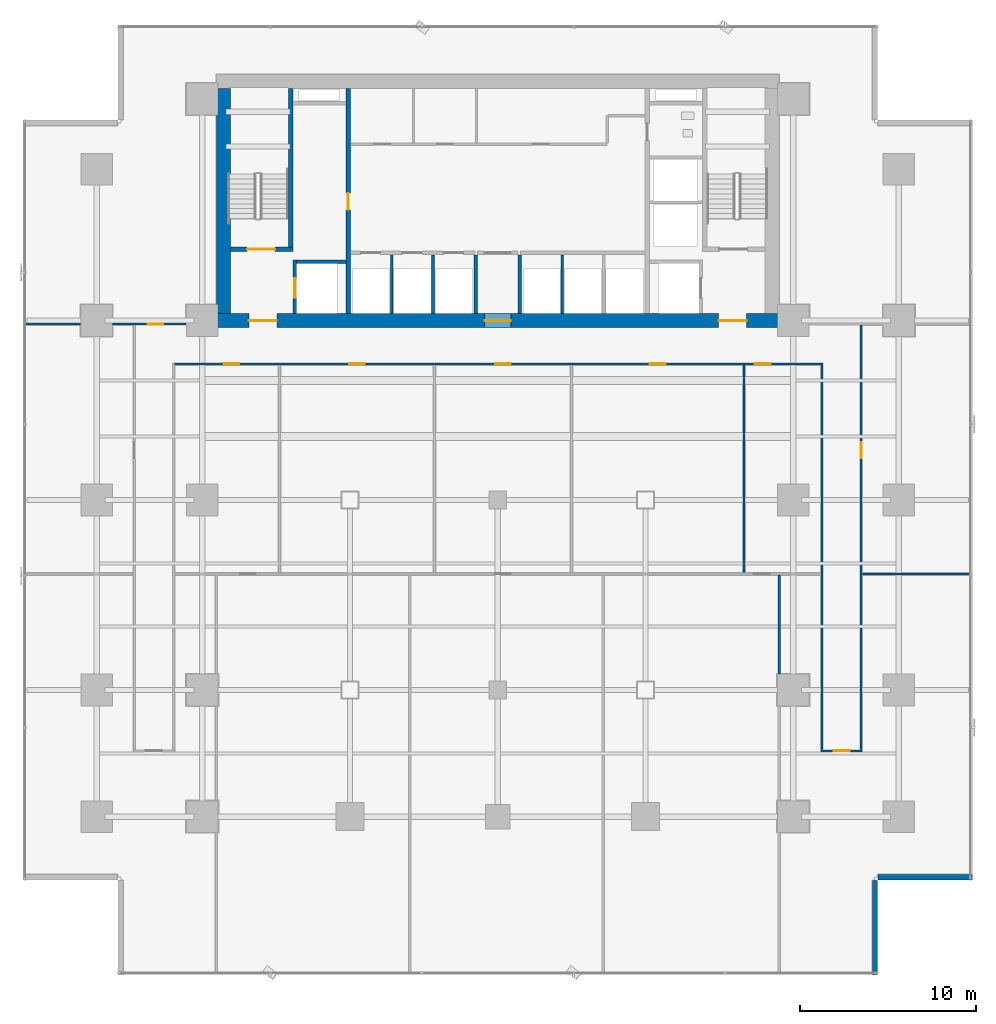
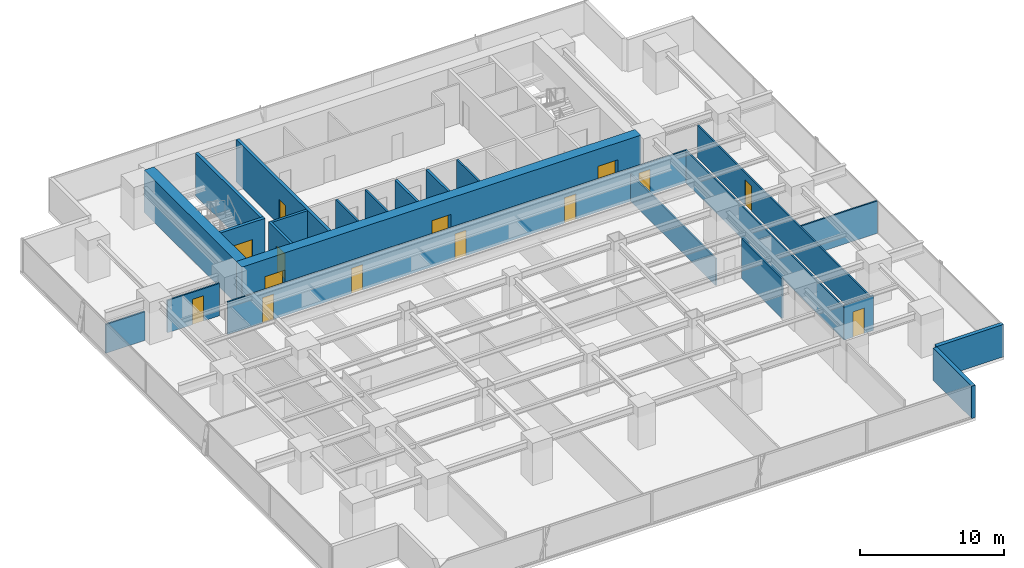
# One storey, part 25 of 33: 23 walls, 14 doors, 14 openings.
"""IFC4 building model written with IfcOpenShell, lengths in metres."""

from ifc_helpers import new_model, si_unit, direction, frame, frame_2d, origin, place, context, subcontext, project, spatial, rectangle, extrude, source, transform, mapped, material, layer, layer_set, type_object, element, fill, save


model = new_model("IFC4")

# Units and contexts
model_context = context("Model", 3, precision=1e-05, world=origin(), true_north=direction((0.0, 1.0)))
body_context = subcontext(model_context, "Body", "Model", "MODEL_VIEW")
ifc_project = project(units=[si_unit("LENGTHUNIT", "METRE"), si_unit("AREAUNIT", "SQUARE_METRE"), si_unit("VOLUMEUNIT", "CUBIC_METRE"), si_unit("PLANEANGLEUNIT", "RADIAN"), si_unit("MASSUNIT", "GRAM", prefix="KILO")], contexts=[model_context])

# Site, building, storey
site_placement = place(None, origin())
site = spatial("IfcSite", under=ifc_project, at=site_placement, CompositionType="ELEMENT")
building_placement = place(site_placement, origin())
building = spatial("IfcBuilding", under=site, at=building_placement, Name="Sumidabori Civic Tower", CompositionType="ELEMENT")
storey_placement = place(building_placement, frame((0.0, 0.0, 30.800048828125)))
storey = spatial("IfcBuildingStorey", under=building, at=storey_placement, Name="L07", CompositionType="ELEMENT", Elevation=30.800048828125)

# Wall, openings, doors
ifc_material_1 = material(Name="Concrete C60/75", Category="concrete")
ifc_layer_1 = layer(ifc_material_1, 0.800048828125, Name="Concrete C60/75")
ifc_layer_set_1 = layer_set([ifc_layer_1], Name="Concrete C60/75")
wall_type_1 = type_object("IfcWallType", Name="WL-CORE-800", PredefinedType="SHEAR", material=ifc_layer_set_1)
shared_shape_1 = source(origin(), body_context, "Body", "SweptSolid", [
    extrude(rectangle(XDim=32.0, YDim=0.800048828125, at=frame_2d((16.0, 0.0))), origin(), (0.0, 0.0, 1.0), 3.599853515625),
])
wall_1_placement = place(storey_placement, frame((-16.0, 10.199951171875, 0.0), z_axis=(0.0, 0.0, 1.0), x_axis=(1.0, 0.0, 0.0)))
wall_1 = element("IfcWall", 1, at=wall_1_placement, inside=storey, type_object=wall_type_1, Name="Core Shear Wall L07 S", PredefinedType="SHEAR", context=body_context, shape_type="MappedRepresentation", body=[
    mapped(shared_shape_1, transform((0.0, 0.0, 0.0), x_axis=(1.0, 0.0, 0.0), y_axis=(0.0, 1.0, 0.0), z_axis=(0.0, 0.0, 1.0), scale=1.0)),
])
opening_1_placement = place(wall_1_placement, frame((1.85009765625, 0.0, 0.0)))
opening_1 = element("IfcOpeningElement", 2, at=opening_1_placement, cuts=wall_1, Name="Opening DR-FD4", PredefinedType="OPENING", context=body_context, shape_type="SweptSolid", body=[
    extrude(rectangle(XDim=1.60009765625, YDim=2.14990234375, at=frame_2d((0.800048828125, 1.074951171875))), frame((0.0, 0.412109375, 0.0), z_axis=(0.0, -1.0, 0.0), x_axis=(1.0, 0.0, 0.0)), (0.0, 0.0, 1.0), 0.823974609375),
])
opening_2_placement = place(wall_1_placement, frame((28.550048828125, 0.0, 0.0)))
opening_2 = element("IfcOpeningElement", 3, at=opening_2_placement, cuts=wall_1, Name="Opening DR-FD4", PredefinedType="OPENING", context=body_context, shape_type="SweptSolid", body=[
    extrude(rectangle(XDim=1.60009765625, YDim=2.14990234375, at=frame_2d((0.800048828125, 1.074951171875))), frame((0.0, 0.412109375, 0.0), z_axis=(0.0, -1.0, 0.0), x_axis=(1.0, 0.0, 0.0)), (0.0, 0.0, 1.0), 0.823974609375),
])
opening_3_placement = place(wall_1_placement, frame((15.25, 0.0, 0.0)))
opening_3 = element("IfcOpeningElement", 4, at=opening_3_placement, cuts=wall_1, Name="Opening DR-FD3", PredefinedType="OPENING", context=body_context, shape_type="SweptSolid", body=[
    extrude(rectangle(XDim=1.5, YDim=2.199951171875, at=frame_2d((0.75, 1.10009765625))), frame((0.0, 0.412109375, 0.0), z_axis=(0.0, -1.0, 0.0), x_axis=(1.0, 0.0, 0.0)), (0.0, 0.0, 1.0), 0.823974609375),
])
ifc_material_2 = material(Name="Steel SN490", Category="steel")
door_type_1 = type_object("IfcDoorType", Name="DR-FD4", OperationType="DOUBLE_DOOR_SINGLE_SWING", PredefinedType="DOOR", material=ifc_material_2)
shared_shape_2 = source(origin(), body_context, "Body", "SweptSolid", [
    extrude(rectangle(XDim=1.60009765625, YDim=2.14990234375, at=frame_2d((0.800048828125, 1.074951171875))), frame((0.0, 0.02490234375, 0.0), z_axis=(0.0, -1.0, 0.0), x_axis=(1.0, 0.0, 0.0)), (0.0, 0.0, 1.0), 0.050048828125),
])
door_1_placement = place(opening_1_placement, origin())
door_1 = element("IfcDoor", 5, at=door_1_placement, inside=storey, type_object=door_type_1, Name="Door DR:L07:ELOB-W", OperationType="DOUBLE_DOOR_SINGLE_SWING", OverallHeight=2.14990234375, OverallWidth=1.60009765625, PredefinedType="DOOR", context=body_context, shape_type="MappedRepresentation", body=[
    mapped(shared_shape_2, transform((0.0, 0.0, 0.0), x_axis=(1.0, 0.0, 0.0), y_axis=(0.0, 1.0, 0.0), z_axis=(0.0, 0.0, 1.0), scale=1.0)),
])
fill(opening_1, door_1)
door_2_placement = place(opening_2_placement, origin())
door_2 = element("IfcDoor", 6, at=door_2_placement, inside=storey, type_object=door_type_1, Name="Door DR:L07:ELOB-E", OperationType="DOUBLE_DOOR_SINGLE_SWING", OverallHeight=2.14990234375, OverallWidth=1.60009765625, PredefinedType="DOOR", context=body_context, shape_type="MappedRepresentation", body=[
    mapped(shared_shape_2, transform((0.0, 0.0, 0.0), x_axis=(1.0, 0.0, 0.0), y_axis=(0.0, 1.0, 0.0), z_axis=(0.0, 0.0, 1.0), scale=1.0)),
])
fill(opening_2, door_2)
door_type_2 = type_object("IfcDoorType", Name="DR-FD-DBL", OperationType="DOUBLE_DOOR_SINGLE_SWING", PredefinedType="DOOR", material=ifc_material_2)
shared_shape_3 = source(origin(), body_context, "Body", "SweptSolid", [
    extrude(rectangle(XDim=1.5, YDim=2.199951171875, at=frame_2d((0.75, 1.10009765625))), frame((0.0, 0.02490234375, 0.0), z_axis=(0.0, -1.0, 0.0), x_axis=(1.0, 0.0, 0.0)), (0.0, 0.0, 1.0), 0.050048828125),
])
door_3_placement = place(opening_3_placement, origin())
door_3 = element("IfcDoor", 7, at=door_3_placement, inside=storey, type_object=door_type_2, Name="Door DR:L07:THROAT-OUT", OperationType="DOUBLE_DOOR_SINGLE_SWING", OverallHeight=2.199951171875, OverallWidth=1.5, PredefinedType="DOOR", context=body_context, shape_type="MappedRepresentation", body=[
    mapped(shared_shape_3, transform((0.0, 0.0, 0.0), x_axis=(1.0, 0.0, 0.0), y_axis=(0.0, 1.0, 0.0), z_axis=(0.0, 0.0, 1.0), scale=1.0)),
])
fill(opening_3, door_3)

# Wall
shared_shape_4 = source(origin(), body_context, "Body", "SweptSolid", [
    extrude(rectangle(XDim=12.7998046875, YDim=0.800048828125, at=frame_2d((6.39990234375, 0.0))), origin(), (0.0, 0.0, 1.0), 3.599853515625),
])
wall_2_placement = place(storey_placement, frame((-15.60009765625, 10.60009765625, 0.0), z_axis=(0.0, 0.0, 1.0), x_axis=(0.0, 1.0, 0.0)))
element("IfcWall", 8, at=wall_2_placement, inside=storey, type_object=wall_type_1, Name="Core Shear Wall L07 W", PredefinedType="SHEAR", context=body_context, shape_type="MappedRepresentation", body=[
    mapped(shared_shape_4, transform((0.0, 0.0, 0.0), x_axis=(1.0, 0.0, 0.0), y_axis=(0.0, 1.0, 0.0), z_axis=(0.0, 0.0, 1.0), scale=1.0)),
])

# Wall, opening, door
ifc_material_3 = material(Name="Concrete C50/60", Category="concrete")
ifc_layer_2 = layer(ifc_material_3, 0.25, Name="Concrete C50/60")
ifc_layer_set_2 = layer_set([ifc_layer_2], Name="Concrete C50/60")
wall_type_2 = type_object("IfcWallType", Name="WL-SHAFT-250", PredefinedType="SHEAR", material=ifc_layer_set_2)
shared_shape_5 = source(origin(), body_context, "Body", "SweptSolid", [
    extrude(rectangle(XDim=12.7998046875, YDim=0.25, at=frame_2d((6.39990234375, 0.0))), origin(), (0.0, 0.0, 1.0), 3.599853515625),
])
wall_3_placement = place(storey_placement, frame((-8.5, 10.60009765625, 0.0), z_axis=(0.0, 0.0, 1.0), x_axis=(0.0, 1.0, 0.0)))
wall_3 = element("IfcWall", 9, at=wall_3_placement, inside=storey, type_object=wall_type_2, Name="Core Shear Wall L07 WEB-W", PredefinedType="SHEAR", context=body_context, shape_type="MappedRepresentation", body=[
    mapped(shared_shape_5, transform((0.0, 0.0, 0.0), x_axis=(1.0, 0.0, 0.0), y_axis=(0.0, 1.0, 0.0), z_axis=(0.0, 0.0, 1.0), scale=1.0)),
])
opening_4_placement = place(wall_3_placement, frame((5.89990234375, 0.0, 0.0)))
opening_4 = element("IfcOpeningElement", 10, at=opening_4_placement, cuts=wall_3, Name="Opening DR-FD2", PredefinedType="OPENING", context=body_context, shape_type="SweptSolid", body=[
    extrude(rectangle(XDim=0.949951171875, YDim=2.14990234375, at=frame_2d((0.47509765625, 1.074951171875))), frame((0.0, 0.136962890625, 0.0), z_axis=(0.0, -1.0, 0.0), x_axis=(1.0, 0.0, 0.0)), (0.0, 0.0, 1.0), 0.27392578125),
])
door_type_3 = type_object("IfcDoorType", Name="DR-FD2", OperationType="NOTDEFINED", PredefinedType="DOOR", material=ifc_material_2)
shared_shape_6 = source(origin(), body_context, "Body", "SweptSolid", [
    extrude(rectangle(XDim=0.949951171875, YDim=2.14990234375, at=frame_2d((0.47509765625, 1.074951171875))), frame((0.0, 0.02490234375, 0.0), z_axis=(0.0, -1.0, 0.0), x_axis=(1.0, 0.0, 0.0)), (0.0, 0.0, 1.0), 0.050048828125),
])
door_4_placement = place(opening_4_placement, origin())
door_4 = element("IfcDoor", 11, at=door_4_placement, inside=storey, type_object=door_type_3, Name="Door DR:L07:CW-STR", OperationType="SINGLE_SWING_LEFT", OverallHeight=2.14990234375, OverallWidth=0.949951171875, PredefinedType="DOOR", context=body_context, shape_type="MappedRepresentation", body=[
    mapped(shared_shape_6, transform((0.0, 0.0, 0.0), x_axis=(1.0, 0.0, 0.0), y_axis=(0.0, 1.0, 0.0), z_axis=(0.0, 0.0, 1.0), scale=1.0)),
])
fill(opening_4, door_4)

shared_shape_7 = source(origin(), body_context, "Body", "SweptSolid", [
    extrude(rectangle(XDim=3.554931640625, YDim=0.25, at=frame_2d((1.77734375, 0.0))), origin(), (0.0, 0.0, 1.0), 3.599853515625),
])
wall_4_placement = place(storey_placement, frame((-15.199951171875, 14.25, 0.0), z_axis=(0.0, 0.0, 1.0), x_axis=(1.0, 0.0, 0.0)))
wall_4 = element("IfcWall", 12, at=wall_4_placement, inside=storey, type_object=wall_type_2, Name="Core Shear Wall L07 ST1-S", PredefinedType="SHEAR", context=body_context, shape_type="MappedRepresentation", body=[
    mapped(shared_shape_7, transform((0.0, 0.0, 0.0), x_axis=(1.0, 0.0, 0.0), y_axis=(0.0, 1.0, 0.0), z_axis=(0.0, 0.0, 1.0), scale=1.0)),
])
opening_5_placement = place(wall_4_placement, frame((0.949951171875, 0.0, 0.0)))
opening_5 = element("IfcOpeningElement", 13, at=opening_5_placement, cuts=wall_4, Name="Opening DR-FD4", PredefinedType="OPENING", context=body_context, shape_type="SweptSolid", body=[
    extrude(rectangle(XDim=1.60009765625, YDim=2.14990234375, at=frame_2d((0.800048828125, 1.074951171875))), frame((0.0, 0.136962890625, 0.0), z_axis=(0.0, -1.0, 0.0), x_axis=(1.0, 0.0, 0.0)), (0.0, 0.0, 1.0), 0.27392578125),
])
door_5_placement = place(opening_5_placement, origin())
door_5 = element("IfcDoor", 14, at=door_5_placement, inside=storey, type_object=door_type_1, Name="Door DR:L07:ST1", OperationType="DOUBLE_DOOR_SINGLE_SWING", OverallHeight=2.14990234375, OverallWidth=1.60009765625, PredefinedType="DOOR", context=body_context, shape_type="MappedRepresentation", body=[
    mapped(shared_shape_2, transform((0.0, 0.0, 0.0), x_axis=(1.0, 0.0, 0.0), y_axis=(0.0, 1.0, 0.0), z_axis=(0.0, 0.0, 1.0), scale=1.0)),
])
fill(opening_5, door_5)

# Wall
shared_shape_8 = source(origin(), body_context, "Body", "SweptSolid", [
    extrude(rectangle(XDim=9.02490234375, YDim=0.25, at=frame_2d((4.512451171875, 0.0))), origin(), (0.0, 0.0, 1.0), 3.599853515625),
])
wall_5_placement = place(storey_placement, frame((-11.77001953125, 14.375, 0.0), z_axis=(0.0, 0.0, 1.0), x_axis=(0.0, 1.0, 0.0)))
element("IfcWall", 15, at=wall_5_placement, inside=storey, type_object=wall_type_2, Name="Core Shear Wall L07 ST1-E", PredefinedType="SHEAR", context=body_context, shape_type="MappedRepresentation", body=[
    mapped(shared_shape_8, transform((0.0, 0.0, 0.0), x_axis=(1.0, 0.0, 0.0), y_axis=(0.0, 1.0, 0.0), z_axis=(0.0, 0.0, 1.0), scale=1.0)),
])

# Wall, opening, door
ifc_layer_3 = layer(ifc_material_3, 0.199951171875, Name="Concrete C50/60")
ifc_layer_set_3 = layer_set([ifc_layer_3], Name="Concrete C50/60")
wall_type_3 = type_object("IfcWallType", Name="WL-SHAFT-200", PredefinedType="SHEAR", material=ifc_layer_set_3)
shared_shape_9 = source(origin(), body_context, "Body", "SweptSolid", [
    extrude(rectangle(XDim=3.0498046875, YDim=0.199951171875, at=frame_2d((1.52490234375, 0.0))), origin(), (0.0, 0.0, 1.0), 3.599853515625),
])
wall_6_placement = place(storey_placement, frame((-11.550048828125, 10.60009765625, 0.0), z_axis=(0.0, 0.0, 1.0), x_axis=(0.0, 1.0, 0.0)))
wall_6 = element("IfcWall", 16, at=wall_6_placement, inside=storey, type_object=wall_type_3, Name="Core Shear Wall L07 EL1-W", PredefinedType="SHEAR", context=body_context, shape_type="MappedRepresentation", body=[
    mapped(shared_shape_9, transform((0.0, 0.0, 0.0), x_axis=(1.0, 0.0, 0.0), y_axis=(0.0, 1.0, 0.0), z_axis=(0.0, 0.0, 1.0), scale=1.0)),
])
opening_6_placement = place(wall_6_placement, frame((0.89990234375, 0.0, 0.0)))
opening_6 = element("IfcOpeningElement", 17, at=opening_6_placement, cuts=wall_6, Name="Opening LD-2", PredefinedType="OPENING", context=body_context, shape_type="SweptSolid", body=[
    extrude(rectangle(XDim=1.10009765625, YDim=2.14990234375, at=frame_2d((0.550048828125, 1.074951171875))), frame((0.0, 0.11181640625, 0.0), z_axis=(0.0, -1.0, 0.0), x_axis=(1.0, 0.0, 0.0)), (0.0, 0.0, 1.0), 0.223876953125),
])
ifc_material_4 = material(Name="Stainless Steel Hairline Finish", Category="steel")
door_type_4 = type_object("IfcDoorType", Name="DR-LD2", OperationType="DOUBLE_DOOR_SLIDING", PredefinedType="DOOR", material=ifc_material_4)
shared_shape_10 = source(origin(), body_context, "Body", "SweptSolid", [
    extrude(rectangle(XDim=1.10009765625, YDim=2.14990234375, at=frame_2d((0.550048828125, 1.074951171875))), frame((0.0, 0.02490234375, 0.0), z_axis=(0.0, -1.0, 0.0), x_axis=(1.0, 0.0, 0.0)), (0.0, 0.0, 1.0), 0.050048828125),
])
door_6_placement = place(opening_6_placement, origin())
door_6 = element("IfcDoor", 18, at=door_6_placement, inside=storey, type_object=door_type_4, Name="Door DR:L07:LD-EL1", OperationType="DOUBLE_DOOR_SLIDING", OverallHeight=2.14990234375, OverallWidth=1.10009765625, PredefinedType="DOOR", context=body_context, shape_type="MappedRepresentation", body=[
    mapped(shared_shape_10, transform((0.0, 0.0, 0.0), x_axis=(1.0, 0.0, 0.0), y_axis=(0.0, 1.0, 0.0), z_axis=(0.0, 0.0, 1.0), scale=1.0)),
])
fill(opening_6, door_6)

# Walls
shared_shape_11 = source(origin(), body_context, "Body", "SweptSolid", [
    extrude(rectangle(XDim=2.824951171875, YDim=0.199951171875, at=frame_2d((1.41259765625, 0.0))), origin(), (0.0, 0.0, 1.0), 3.599853515625),
])
wall_7_placement = place(storey_placement, frame((-11.449951171875, 13.550048828125, 0.0), z_axis=(0.0, 0.0, 1.0), x_axis=(1.0, 0.0, 0.0)))
element("IfcWall", 19, at=wall_7_placement, inside=storey, type_object=wall_type_3, Name="Core Shear Wall L07 EL1-N", PredefinedType="SHEAR", context=body_context, shape_type="MappedRepresentation", body=[
    mapped(shared_shape_11, transform((0.0, 0.0, 0.0), x_axis=(1.0, 0.0, 0.0), y_axis=(0.0, 1.0, 0.0), z_axis=(0.0, 0.0, 1.0), scale=1.0)),
])
ifc_material_5 = material(Name="Precast concrete C40/50", Category="concrete")
ifc_layer_4 = layer(ifc_material_5, 0.300048828125, Name="Precast concrete C40/50")
ifc_layer_set_4 = layer_set([ifc_layer_4], Name="Precast concrete C40/50")
wall_type_4 = type_object("IfcWallType", Name="WL-EXT-POD300", PredefinedType="STANDARD", material=ifc_layer_set_4)
shared_shape_12 = source(origin(), body_context, "Body", "SweptSolid", [
    extrude(rectangle(XDim=5.35986328125, YDim=0.300048828125, at=frame_2d((2.679931640625, 0.0))), origin(), (0.0, 0.0, 1.0), 2.739990234375),
])
for number, where, z_axis, x_axis, name in (
    (20, (21.449951171875, -26.97998046875, 0.0), (0.0, 0.0, 1.0), (0.0, 1.0, 0.0), "Notched Corner Spandrel Band L07-02"),
    (21, (21.6201171875, -21.449951171875, 0.0), (0.0, 0.0, 1.0), (1.0, 0.0, 0.0), "Notched Corner Spandrel Band L07-03"),
):
    element("IfcWall", number, at=place(storey_placement, frame(where, z_axis=z_axis, x_axis=x_axis)), inside=storey, type_object=wall_type_4, Name=name, PredefinedType="STANDARD", context=body_context, shape_type="MappedRepresentation", body=[
        mapped(shared_shape_12, transform((0.0, 0.0, 0.0), x_axis=(1.0, 0.0, 0.0), y_axis=(0.0, 1.0, 0.0), z_axis=(0.0, 0.0, 1.0), scale=1.0)),
    ])
ifc_material_6 = material(Name="Gypsum Plasterboard Fire Partition")
ifc_layer_5 = layer(ifc_material_6, 0.199951171875, Name="Gypsum Plasterboard Fire Partition")
ifc_layer_set_5 = layer_set([ifc_layer_5], Name="Gypsum Plasterboard Fire Partition")
wall_type_5 = type_object("IfcWallType", Name="WL-PART-FIRE", PredefinedType="PARTITIONING", material=ifc_layer_set_5)
shared_shape_13 = source(origin(), body_context, "Body", "SweptSolid", [
    extrude(rectangle(XDim=3.33984375, YDim=0.199951171875, at=frame_2d((1.669921875, 0.0))), origin(), (0.0, 0.0, 1.0), 3.35986328125),
])
for number, where, z_axis, x_axis, name in (
    (22, (-1.25, 10.60009765625, 0.0), (0.0, 0.0, 1.0), (0.0, 1.0, 0.0), "Interior Partition WL:L07:THROAT-W"),
    (23, (1.25, 10.60009765625, 0.0), (0.0, 0.0, 1.0), (0.0, 1.0, 0.0), "Interior Partition WL:L07:THROAT-E"),
):
    element("IfcWall", number, at=place(storey_placement, frame(where, z_axis=z_axis, x_axis=x_axis)), inside=storey, type_object=wall_type_5, Name=name, PredefinedType="PARTITIONING", context=body_context, shape_type="MappedRepresentation", body=[
        mapped(shared_shape_13, transform((0.0, 0.0, 0.0), x_axis=(1.0, 0.0, 0.0), y_axis=(0.0, 1.0, 0.0), z_axis=(0.0, 0.0, 1.0), scale=1.0)),
    ])
ifc_material_7 = material(Name="Gypsum Plasterboard Acoustic Partition")
ifc_layer_6 = layer(ifc_material_7, 0.14990234375, Name="Gypsum Plasterboard Acoustic Partition")
ifc_layer_set_6 = layer_set([ifc_layer_6], Name="Gypsum Plasterboard Acoustic Partition")
wall_type_6 = type_object("IfcWallType", Name="WL-PART-150", PredefinedType="PARTITIONING", material=ifc_layer_set_6)
shared_shape_14 = source(origin(), body_context, "Body", "SweptSolid", [
    extrude(rectangle(XDim=3.33984375, YDim=0.14990234375, at=frame_2d((1.669921875, 0.0))), origin(), (0.0, 0.0, 1.0), 3.35986328125),
])
for number, where, z_axis, x_axis, name in (
    (24, (-6.030029296875, 10.60009765625, 0.0), (0.0, 0.0, 1.0), (0.0, 1.0, 0.0), "Interior Partition WL:L07:DIV-PLL1"),
    (25, (-3.679931640625, 10.60009765625, 0.0), (0.0, 0.0, 1.0), (0.0, 1.0, 0.0), "Interior Partition WL:L07:DIV-PLL2"),
    (26, (3.669921875, 10.60009765625, 0.0), (0.0, 0.0, 1.0), (0.0, 1.0, 0.0), "Interior Partition WL:L07:DIV-PLM1"),
):
    element("IfcWall", number, at=place(storey_placement, frame(where, z_axis=z_axis, x_axis=x_axis)), inside=storey, type_object=wall_type_6, Name=name, PredefinedType="PARTITIONING", context=body_context, shape_type="MappedRepresentation", body=[
        mapped(shared_shape_14, transform((0.0, 0.0, 0.0), x_axis=(1.0, 0.0, 0.0), y_axis=(0.0, 1.0, 0.0), z_axis=(0.0, 0.0, 1.0), scale=1.0)),
    ])

# Wall, opening, door
ifc_layer_7 = layer(ifc_material_7, 0.1201171875, Name="Gypsum Plasterboard Acoustic Partition")
ifc_layer_set_7 = layer_set([ifc_layer_7], Name="Gypsum Plasterboard Acoustic Partition")
wall_type_7 = type_object("IfcWallType", Name="WL-PART-120", PredefinedType="PARTITIONING", material=ifc_layer_set_7)
shared_shape_15 = source(origin(), body_context, "Body", "SweptSolid", [
    extrude(rectangle(XDim=4.179931640625, YDim=0.1201171875, at=frame_2d((2.08984375, 0.0))), origin(), (0.0, 0.0, 1.0), 2.744873046875),
])
wall_8_placement = place(storey_placement, frame((-21.889892578125, 10.0, 0.0), z_axis=(0.0, 0.0, 1.0), x_axis=(1.0, 0.0, 0.0)))
wall_8 = element("IfcWall", 27, at=wall_8_placement, inside=storey, type_object=wall_type_7, Name="Interior Partition WL:L07:FLK-NW-2", PredefinedType="PARTITIONING", context=body_context, shape_type="MappedRepresentation", body=[
    mapped(shared_shape_15, transform((0.0, 0.0, 0.0), x_axis=(1.0, 0.0, 0.0), y_axis=(0.0, 1.0, 0.0), z_axis=(0.0, 0.0, 1.0), scale=1.0)),
])
opening_7_placement = place(wall_8_placement, frame((1.985107421875, 0.0, 0.0)))
opening_7 = element("IfcOpeningElement", 28, at=opening_7_placement, cuts=wall_8, Name="Opening DR-1", PredefinedType="OPENING", context=body_context, shape_type="SweptSolid", body=[
    extrude(rectangle(XDim=0.89990234375, YDim=2.14990234375, at=frame_2d((0.449951171875, 1.074951171875))), frame((0.0, 0.072021484375, 0.0), z_axis=(0.0, -1.0, 0.0), x_axis=(1.0, 0.0, 0.0)), (0.0, 0.0, 1.0), 0.14404296875),
])
ifc_material_8 = material(Name="Japanese Hinoki Timber", Category="wood")
door_type_5 = type_object("IfcDoorType", Name="DR-INT-900", OperationType="NOTDEFINED", PredefinedType="DOOR", material=ifc_material_8)
shared_shape_16 = source(origin(), body_context, "Body", "SweptSolid", [
    extrude(rectangle(XDim=0.89990234375, YDim=2.14990234375, at=frame_2d((0.449951171875, 1.074951171875))), frame((0.0, 0.02490234375, 0.0), z_axis=(0.0, -1.0, 0.0), x_axis=(1.0, 0.0, 0.0)), (0.0, 0.0, 1.0), 0.050048828125),
])
door_7_placement = place(opening_7_placement, origin())
door_7 = element("IfcDoor", 29, at=door_7_placement, inside=storey, type_object=door_type_5, Name="Door DR:L07:FLK-NE", OperationType="SINGLE_SWING_LEFT", OverallHeight=2.14990234375, OverallWidth=0.89990234375, PredefinedType="DOOR", context=body_context, shape_type="MappedRepresentation", body=[
    mapped(shared_shape_16, transform((0.0, 0.0, 0.0), x_axis=(1.0, 0.0, 0.0), y_axis=(0.0, 1.0, 0.0), z_axis=(0.0, 0.0, 1.0), scale=1.0)),
])
fill(opening_7, door_7)

# Wall, openings, doors
shared_shape_17 = source(origin(), body_context, "Body", "SweptSolid", [
    extrude(rectangle(XDim=36.759765625, YDim=0.1201171875, at=frame_2d((18.3798828125, 0.0))), origin(), (0.0, 0.0, 1.0), 2.744873046875),
])
wall_9_placement = place(storey_placement, frame((-18.3798828125, 7.739990234375, 0.0), z_axis=(0.0, 0.0, 1.0), x_axis=(1.0, 0.0, 0.0)))
wall_9 = element("IfcWall", 30, at=wall_9_placement, inside=storey, type_object=wall_type_7, Name="Interior Partition WL:L07:CORR-S", PredefinedType="PARTITIONING", context=body_context, shape_type="MappedRepresentation", body=[
    mapped(shared_shape_17, transform((0.0, 0.0, 0.0), x_axis=(1.0, 0.0, 0.0), y_axis=(0.0, 1.0, 0.0), z_axis=(0.0, 0.0, 1.0), scale=1.0)),
])
opening_8_placement = place(wall_9_placement, frame((2.7900390625, 0.0, 0.0)))
opening_8 = element("IfcOpeningElement", 31, at=opening_8_placement, cuts=wall_9, Name="Opening DR-1", PredefinedType="OPENING", context=body_context, shape_type="SweptSolid", body=[
    extrude(rectangle(XDim=0.89990234375, YDim=2.14990234375, at=frame_2d((0.449951171875, 1.074951171875))), frame((0.0, 0.072021484375, 0.0), z_axis=(0.0, -1.0, 0.0), x_axis=(1.0, 0.0, 0.0)), (0.0, 0.0, 1.0), 0.14404296875),
])
opening_9_placement = place(wall_9_placement, frame((32.989990234375, 0.0, 0.0)))
opening_9 = element("IfcOpeningElement", 32, at=opening_9_placement, cuts=wall_9, Name="Opening DR-1", PredefinedType="OPENING", context=body_context, shape_type="SweptSolid", body=[
    extrude(rectangle(XDim=0.89990234375, YDim=2.14990234375, at=frame_2d((0.449951171875, 1.074951171875))), frame((0.0, 0.072021484375, 0.0), z_axis=(0.0, -1.0, 0.0), x_axis=(1.0, 0.0, 0.0)), (0.0, 0.0, 1.0), 0.14404296875),
])
opening_10_placement = place(wall_9_placement, frame((9.929931640625, 0.0, 0.0)))
opening_10 = element("IfcOpeningElement", 33, at=opening_10_placement, cuts=wall_9, Name="Opening DR-1", PredefinedType="OPENING", context=body_context, shape_type="SweptSolid", body=[
    extrude(rectangle(XDim=0.89990234375, YDim=2.14990234375, at=frame_2d((0.449951171875, 1.074951171875))), frame((0.0, 0.072021484375, 0.0), z_axis=(0.0, -1.0, 0.0), x_axis=(1.0, 0.0, 0.0)), (0.0, 0.0, 1.0), 0.14404296875),
])
opening_11_placement = place(wall_9_placement, frame((18.22998046875, 0.0, 0.0)))
opening_11 = element("IfcOpeningElement", 34, at=opening_11_placement, cuts=wall_9, Name="Opening DR-1", PredefinedType="OPENING", context=body_context, shape_type="SweptSolid", body=[
    extrude(rectangle(XDim=0.89990234375, YDim=2.14990234375, at=frame_2d((0.449951171875, 1.074951171875))), frame((0.0, 0.072021484375, 0.0), z_axis=(0.0, -1.0, 0.0), x_axis=(1.0, 0.0, 0.0)), (0.0, 0.0, 1.0), 0.14404296875),
])
opening_12_placement = place(wall_9_placement, frame((27.030029296875, 0.0, 0.0)))
opening_12 = element("IfcOpeningElement", 35, at=opening_12_placement, cuts=wall_9, Name="Opening DR-1", PredefinedType="OPENING", context=body_context, shape_type="SweptSolid", body=[
    extrude(rectangle(XDim=0.89990234375, YDim=2.14990234375, at=frame_2d((0.449951171875, 1.074951171875))), frame((0.0, 0.072021484375, 0.0), z_axis=(0.0, -1.0, 0.0), x_axis=(1.0, 0.0, 0.0)), (0.0, 0.0, 1.0), 0.14404296875),
])
door_8_placement = place(opening_8_placement, origin())
door_8 = element("IfcDoor", 36, at=door_8_placement, inside=storey, type_object=door_type_5, Name="Door DR:L07:D04", OperationType="SINGLE_SWING_RIGHT", OverallHeight=2.14990234375, OverallWidth=0.89990234375, PredefinedType="DOOR", context=body_context, shape_type="MappedRepresentation", body=[
    mapped(shared_shape_16, transform((0.0, 0.0, 0.0), x_axis=(1.0, 0.0, 0.0), y_axis=(0.0, 1.0, 0.0), z_axis=(0.0, 0.0, 1.0), scale=1.0)),
])
fill(opening_8, door_8)
door_9_placement = place(opening_9_placement, origin())
door_9 = element("IfcDoor", 37, at=door_9_placement, inside=storey, type_object=door_type_5, Name="Door DR:L07:D05", OperationType="SINGLE_SWING_LEFT", OverallHeight=2.14990234375, OverallWidth=0.89990234375, PredefinedType="DOOR", context=body_context, shape_type="MappedRepresentation", body=[
    mapped(shared_shape_16, transform((0.0, 0.0, 0.0), x_axis=(1.0, 0.0, 0.0), y_axis=(0.0, 1.0, 0.0), z_axis=(0.0, 0.0, 1.0), scale=1.0)),
])
fill(opening_9, door_9)
door_10_placement = place(opening_10_placement, origin())
door_10 = element("IfcDoor", 38, at=door_10_placement, inside=storey, type_object=door_type_5, Name="Door DR:L07:D06", OperationType="SINGLE_SWING_RIGHT", OverallHeight=2.14990234375, OverallWidth=0.89990234375, PredefinedType="DOOR", context=body_context, shape_type="MappedRepresentation", body=[
    mapped(shared_shape_16, transform((0.0, 0.0, 0.0), x_axis=(1.0, 0.0, 0.0), y_axis=(0.0, 1.0, 0.0), z_axis=(0.0, 0.0, 1.0), scale=1.0)),
])
fill(opening_10, door_10)
door_11_placement = place(opening_11_placement, origin())
door_11 = element("IfcDoor", 39, at=door_11_placement, inside=storey, type_object=door_type_5, Name="Door DR:L07:D07", OperationType="SINGLE_SWING_LEFT", OverallHeight=2.14990234375, OverallWidth=0.89990234375, PredefinedType="DOOR", context=body_context, shape_type="MappedRepresentation", body=[
    mapped(shared_shape_16, transform((0.0, 0.0, 0.0), x_axis=(1.0, 0.0, 0.0), y_axis=(0.0, 1.0, 0.0), z_axis=(0.0, 0.0, 1.0), scale=1.0)),
])
fill(opening_11, door_11)
door_12_placement = place(opening_12_placement, origin())
door_12 = element("IfcDoor", 40, at=door_12_placement, inside=storey, type_object=door_type_5, Name="Door DR:L07:D08", OperationType="SINGLE_SWING_RIGHT", OverallHeight=2.14990234375, OverallWidth=0.89990234375, PredefinedType="DOOR", context=body_context, shape_type="MappedRepresentation", body=[
    mapped(shared_shape_16, transform((0.0, 0.0, 0.0), x_axis=(1.0, 0.0, 0.0), y_axis=(0.0, 1.0, 0.0), z_axis=(0.0, 0.0, 1.0), scale=1.0)),
])
fill(opening_12, door_12)

# Wall, opening, door
shared_shape_18 = source(origin(), body_context, "Body", "SweptSolid", [
    extrude(rectangle(XDim=24.130126953125, YDim=0.1201171875, at=frame_2d((12.06494140625, 0.0))), origin(), (0.0, 0.0, 1.0), 2.744873046875),
])
wall_10_placement = place(storey_placement, frame((20.659912109375, -14.195068359375, 0.0), z_axis=(0.0, 0.0, 1.0), x_axis=(0.0, 1.0, 0.0)))
wall_10 = element("IfcWall", 41, at=wall_10_placement, inside=storey, type_object=wall_type_7, Name="Interior Partition WL:L07:CORR-VE-OUT", PredefinedType="PARTITIONING", context=body_context, shape_type="MappedRepresentation", body=[
    mapped(shared_shape_18, transform((0.0, 0.0, 0.0), x_axis=(1.0, 0.0, 0.0), y_axis=(0.0, 1.0, 0.0), z_axis=(0.0, 0.0, 1.0), scale=1.0)),
])
opening_13_placement = place(wall_10_placement, frame((16.58251953125, 0.0, 0.0)))
opening_13 = element("IfcOpeningElement", 42, at=opening_13_placement, cuts=wall_10, Name="Opening DR-1", PredefinedType="OPENING", context=body_context, shape_type="SweptSolid", body=[
    extrude(rectangle(XDim=0.89990234375, YDim=2.14990234375, at=frame_2d((0.449951171875, 1.074951171875))), frame((0.0, 0.072021484375, 0.0), z_axis=(0.0, -1.0, 0.0), x_axis=(1.0, 0.0, 0.0)), (0.0, 0.0, 1.0), 0.14404296875),
])
door_13_placement = place(opening_13_placement, origin())
door_13 = element("IfcDoor", 43, at=door_13_placement, inside=storey, type_object=door_type_5, Name="Door DR:L07:D03", OperationType="SINGLE_SWING_LEFT", OverallHeight=2.14990234375, OverallWidth=0.89990234375, PredefinedType="DOOR", context=body_context, shape_type="MappedRepresentation", body=[
    mapped(shared_shape_16, transform((0.0, 0.0, 0.0), x_axis=(1.0, 0.0, 0.0), y_axis=(0.0, 1.0, 0.0), z_axis=(0.0, 0.0, 1.0), scale=1.0)),
])
fill(opening_13, door_13)

# Walls
shared_shape_19 = source(origin(), body_context, "Body", "SweptSolid", [
    extrude(rectangle(XDim=21.9951171875, YDim=0.1201171875, at=frame_2d((10.99755859375, 0.0))), origin(), (0.0, 0.0, 1.0), 2.744873046875),
])
wall_11_placement = place(storey_placement, frame((18.43994140625, -14.195068359375, 0.0), z_axis=(0.0, 0.0, 1.0), x_axis=(0.0, 1.0, 0.0)))
element("IfcWall", 44, at=wall_11_placement, inside=storey, type_object=wall_type_7, Name="Interior Partition WL:L07:CORR-VE-IN", PredefinedType="PARTITIONING", context=body_context, shape_type="MappedRepresentation", body=[
    mapped(shared_shape_19, transform((0.0, 0.0, 0.0), x_axis=(1.0, 0.0, 0.0), y_axis=(0.0, 1.0, 0.0), z_axis=(0.0, 0.0, 1.0), scale=1.0)),
])
shared_shape_20 = source(origin(), body_context, "Body", "SweptSolid", [
    extrude(rectangle(XDim=6.125, YDim=0.1201171875, at=frame_2d((3.0625, 0.0))), origin(), (0.0, 0.0, 1.0), 2.744873046875),
])
wall_12_placement = place(storey_placement, frame((20.72509765625, -4.199951171875, 0.0), z_axis=(0.0, 0.0, 1.0), x_axis=(1.0, 0.0, 0.0)))
element("IfcWall", 45, at=wall_12_placement, inside=storey, type_object=wall_type_7, Name="Interior Partition WL:L07:BAND-Y-3", PredefinedType="PARTITIONING", context=body_context, shape_type="MappedRepresentation", body=[
    mapped(shared_shape_20, transform((0.0, 0.0, 0.0), x_axis=(1.0, 0.0, 0.0), y_axis=(0.0, 1.0, 0.0), z_axis=(0.0, 0.0, 1.0), scale=1.0)),
])
shared_shape_21 = source(origin(), body_context, "Body", "SweptSolid", [
    extrude(rectangle(XDim=5.625, YDim=0.1201171875, at=frame_2d((2.8125, 0.0))), origin(), (0.0, 0.0, 1.0), 3.35986328125),
])
wall_13_placement = place(storey_placement, frame((16.0, -9.889892578125, 0.0), z_axis=(0.0, 0.0, 1.0), x_axis=(0.0, 1.0, 0.0)))
element("IfcWall", 46, at=wall_13_placement, inside=storey, type_object=wall_type_7, Name="Interior Partition WL:L07:VX-S4-3", PredefinedType="PARTITIONING", context=body_context, shape_type="MappedRepresentation", body=[
    mapped(shared_shape_21, transform((0.0, 0.0, 0.0), x_axis=(1.0, 0.0, 0.0), y_axis=(0.0, 1.0, 0.0), z_axis=(0.0, 0.0, 1.0), scale=1.0)),
])
shared_shape_22 = source(origin(), body_context, "Body", "SweptSolid", [
    extrude(rectangle(XDim=3.14013671875, YDim=0.1201171875, at=frame_2d((1.570068359375, 0.0))), origin(), (0.0, 0.0, 1.0), 2.43505859375),
])
wall_14_placement = place(storey_placement, frame((-26.85009765625, 10.0, 0.0), z_axis=(0.0, 0.0, 1.0), x_axis=(1.0, 0.0, 0.0)))
element("IfcWall", 47, at=wall_14_placement, inside=storey, type_object=wall_type_7, Name="Interior Partition WL:L07:FLK-NW-1", PredefinedType="PARTITIONING", context=body_context, shape_type="MappedRepresentation", body=[
    mapped(shared_shape_22, transform((0.0, 0.0, 0.0), x_axis=(1.0, 0.0, 0.0), y_axis=(0.0, 1.0, 0.0), z_axis=(0.0, 0.0, 1.0), scale=1.0)),
])
shared_shape_23 = source(origin(), body_context, "Body", "SweptSolid", [
    extrude(rectangle(XDim=11.81005859375, YDim=0.1201171875, at=frame_2d((5.905029296875, 0.0))), origin(), (0.0, 0.0, 1.0), 2.301025390625),
])
wall_15_placement = place(storey_placement, frame((14.0, -4.135009765625, 0.0), z_axis=(0.0, 0.0, 1.0), x_axis=(0.0, 1.0, 0.0)))
element("IfcWall", 48, at=wall_15_placement, inside=storey, type_object=wall_type_7, Name="Interior Partition WL:L07:VX-N5", PredefinedType="PARTITIONING", context=body_context, shape_type="MappedRepresentation", body=[
    mapped(shared_shape_23, transform((0.0, 0.0, 0.0), x_axis=(1.0, 0.0, 0.0), y_axis=(0.0, 1.0, 0.0), z_axis=(0.0, 0.0, 1.0), scale=1.0)),
])

# Wall, opening, door
shared_shape_24 = source(origin(), body_context, "Body", "SweptSolid", [
    extrude(rectangle(XDim=2.340087890625, YDim=0.1201171875, at=frame_2d((1.169921875, 0.0))), origin(), (0.0, 0.0, 1.0), 2.98486328125),
])
wall_16_placement = place(storey_placement, frame((18.3798828125, -14.260009765625, 0.0), z_axis=(0.0, 0.0, 1.0), x_axis=(1.0, 0.0, 0.0)))
wall_16 = element("IfcWall", 49, at=wall_16_placement, inside=storey, type_object=wall_type_7, Name="Interior Partition WL:L07:CORR-CAP-E", PredefinedType="PARTITIONING", context=body_context, shape_type="MappedRepresentation", body=[
    mapped(shared_shape_24, transform((0.0, 0.0, 0.0), x_axis=(1.0, 0.0, 0.0), y_axis=(0.0, 1.0, 0.0), z_axis=(0.0, 0.0, 1.0), scale=1.0)),
])
opening_14_placement = place(wall_16_placement, frame((0.719970703125, 0.0, 0.0)))
opening_14 = element("IfcOpeningElement", 50, at=opening_14_placement, cuts=wall_16, Name="Opening DR-1", PredefinedType="OPENING", context=body_context, shape_type="SweptSolid", body=[
    extrude(rectangle(XDim=0.89990234375, YDim=2.14990234375, at=frame_2d((0.449951171875, 1.074951171875))), frame((0.0, 0.072021484375, 0.0), z_axis=(0.0, -1.0, 0.0), x_axis=(1.0, 0.0, 0.0)), (0.0, 0.0, 1.0), 0.14404296875),
])
door_14_placement = place(opening_14_placement, origin())
door_14 = element("IfcDoor", 51, at=door_14_placement, inside=storey, type_object=door_type_5, Name="Door DR:L07:D10", OperationType="SINGLE_SWING_RIGHT", OverallHeight=2.14990234375, OverallWidth=0.89990234375, PredefinedType="DOOR", context=body_context, shape_type="MappedRepresentation", body=[
    mapped(shared_shape_16, transform((0.0, 0.0, 0.0), x_axis=(1.0, 0.0, 0.0), y_axis=(0.0, 1.0, 0.0), z_axis=(0.0, 0.0, 1.0), scale=1.0)),
])
fill(opening_14, door_14)

save(model, "model.ifc")
